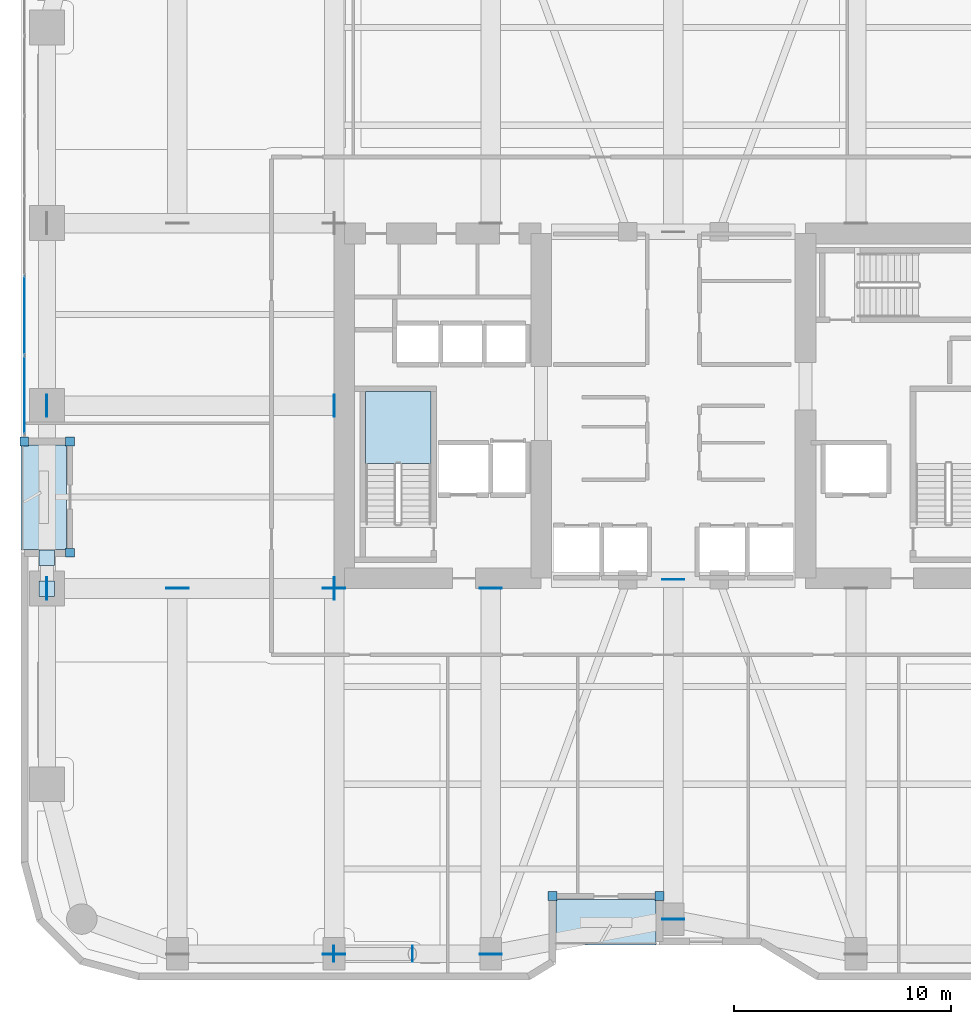
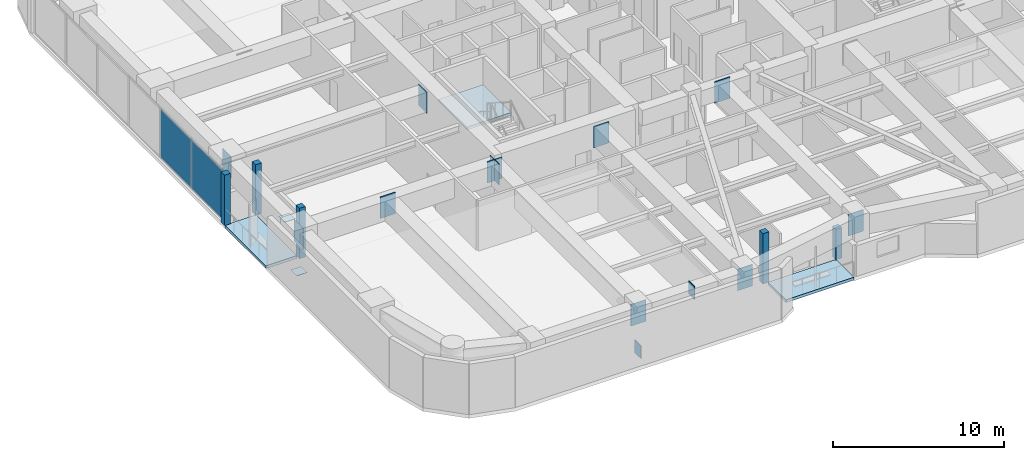
# One storey, part 19 of 28: 22 plates, 3 slabs, 2 elements without a shape of their own.
"""IFC4 building model written with IfcOpenShell, lengths in metres."""

import ifcopenshell
import ifcopenshell.guid

model = None  # the IFC model being written
_history = None  # IfcOwnerHistory: only IFC2X3 demands one
_inside = {}  # id of a spatial element -> (the spatial element, [elements in it])
_under = {}  # id of a project, library or spatial element -> (it, [spatial elements below it])
_declared = {}  # id of a project -> (the project, [libraries it declares])
_typed = {}  # id of a type object -> (the type object, [elements of that type])
_made_of = {}  # id of a material, layer set ... -> (it, [elements and type objects made of it])


def new_model(schema):
    """Start an empty IFC model of exactly this schema.

    Asked for "IFC4X3", IfcOpenShell would pick the latest addendum, in which some entities
    have other attributes; the version numbers below select the first issue.
    IFC2X3 requires an IfcOwnerHistory on every rooted entity: one is made here for all.
    """
    global model, _history
    if schema == "IFC4X3":
        model = ifcopenshell.file(schema_version=(4, 3, 0, 0))
    else:
        model = ifcopenshell.file(schema=schema)
    _inside.clear()
    _under.clear()
    _declared.clear()
    _typed.clear()
    _made_of.clear()
    _history = None
    if model.schema == "IFC2X3":
        org = make("IfcOrganization", Name="unknown")
        user = make(
            "IfcPersonAndOrganization",
            ThePerson=make("IfcPerson", FamilyName="unknown"),
            TheOrganization=org,
        )
        app = make(
            "IfcApplication",
            ApplicationDeveloper=org,
            Version="unknown",
            ApplicationFullName="unknown",
            ApplicationIdentifier="unknown",
        )
        _history = make(
            "IfcOwnerHistory",
            OwningUser=user,
            OwningApplication=app,
            ChangeAction="ADDED",
            CreationDate=0,
        )
    return model


def make(cls, **values):
    """One entity of the class cls with the attributes given. An attribute that is None is left unset."""
    return model.create_entity(
        cls, **{name: value for name, value in values.items() if value is not None}
    )


def rooted(cls, **values):
    """An entity with a GlobalId (a new one), such as an element, a storey or a relation."""
    return make(cls, GlobalId=ifcopenshell.guid.new(), OwnerHistory=_history, **values)


def si_unit(unit_type, name, prefix=None):
    """IfcSIUnit, for example si_unit("LENGTHUNIT", "METRE", prefix="MILLI")."""
    return make("IfcSIUnit", UnitType=unit_type, Prefix=prefix, Name=name)


def assignment(units):
    """IfcUnitAssignment: the units of a project."""
    return None if units is None else make("IfcUnitAssignment", Units=units)


def point(xyz):
    """IfcCartesianPoint."""
    return None if xyz is None else make("IfcCartesianPoint", Coordinates=xyz)


def direction(xyz):
    """IfcDirection."""
    return None if xyz is None else make("IfcDirection", DirectionRatios=xyz)


def frame(location, z_axis=None, x_axis=None):
    """IfcAxis2Placement3D, a coordinate frame: its origin and axes. An axis left out is left unset."""
    return make(
        "IfcAxis2Placement3D",
        Location=point(location),
        Axis=direction(z_axis),
        RefDirection=direction(x_axis),
    )


def frame_2d(location, x_axis=None):
    """IfcAxis2Placement2D, a coordinate frame in the plane: its origin and x axis."""
    return make(
        "IfcAxis2Placement2D", Location=point(location), RefDirection=direction(x_axis)
    )


def origin():
    """The frame at (0, 0, 0) with its axes left unset."""
    return frame((0.0, 0.0, 0.0))


def origin_2d():
    """The frame at (0, 0) in the plane with its x axis left unset."""
    return frame_2d((0.0, 0.0))


def place(relative_to, where):
    """IfcLocalPlacement: puts the frame where relative to a parent placement (None: the world)."""
    return make(
        "IfcLocalPlacement", PlacementRelTo=relative_to, RelativePlacement=where
    )


def context(
    kind, dimensions, precision=None, world=None, true_north=None, identifier=None
):
    """IfcGeometricRepresentationContext, for example the 3D "Model" context."""
    return make(
        "IfcGeometricRepresentationContext",
        ContextIdentifier=identifier,
        ContextType=kind,
        CoordinateSpaceDimension=dimensions,
        Precision=precision,
        WorldCoordinateSystem=world,
        TrueNorth=true_north,
    )


def subcontext(parent, identifier, kind, view, scale=None):
    """IfcGeometricRepresentationSubContext, for example "Body" below "Model"."""
    return make(
        "IfcGeometricRepresentationSubContext",
        ContextIdentifier=identifier,
        ContextType=kind,
        ParentContext=parent,
        TargetScale=scale,
        TargetView=view,
    )


def project(units=None, contexts=None):
    """IfcProject with its units and contexts."""
    return rooted(
        "IfcProject",
        Name="project",
        RepresentationContexts=contexts,
        UnitsInContext=assignment(units),
    )


def spatial(cls, under=None, at=None, **own):
    """A site, building, storey or space (cls), placed at a placement, below another one or the project."""
    s = rooted(cls, ObjectPlacement=at, **own)
    if under is not None:
        _under.setdefault(under.id(), (under, []))[1].append(s)
    return s


def polyline(points):
    """IfcPolyline through the points."""
    return make("IfcPolyline", Points=[point(p) for p in points])


def profile(cls, at=None, kind="AREA", **sizes):
    """A parametric profile (cls). Its sizes go by their IFC names, for example OverallWidth=200.0."""
    return make(cls, ProfileType=kind, Position=at, **sizes)


def rectangle(**sizes):
    """IfcRectangleProfileDef."""
    return profile("IfcRectangleProfileDef", **sizes)


def outline(outer, holes=None, kind="AREA"):
    """IfcArbitraryClosedProfileDef: a profile drawn as a closed curve; with holes, ...WithVoids."""
    if holes is None:
        return make("IfcArbitraryClosedProfileDef", ProfileType=kind, OuterCurve=outer)
    return make(
        "IfcArbitraryProfileDefWithVoids",
        ProfileType=kind,
        OuterCurve=outer,
        InnerCurves=holes,
    )


def extrude(swept, where, along, depth):
    """IfcExtrudedAreaSolid: the profile swept, set in the frame where, extruded along a direction by depth."""
    return make(
        "IfcExtrudedAreaSolid",
        SweptArea=swept,
        Position=where,
        ExtrudedDirection=direction(along),
        Depth=depth,
    )


def shape(context_of_items, identifier, shape_type, items):
    """IfcShapeRepresentation: the items that make up one representation, for example the "Body"."""
    return make(
        "IfcShapeRepresentation",
        ContextOfItems=context_of_items,
        RepresentationIdentifier=identifier,
        RepresentationType=shape_type,
        Items=items,
    )


def material(Name=None, Category=None):
    """IfcMaterial."""
    return make("IfcMaterial", Name=Name, Category=Category)


def layer(
    of_material, thickness, ventilated=None, Name=None, Category=None, Priority=None
):
    """IfcMaterialLayer: one layer of a wall or slab, of a material (None: an air gap)."""
    return make(
        "IfcMaterialLayer",
        Material=of_material,
        LayerThickness=thickness,
        IsVentilated=ventilated,
        Name=Name,
        Category=Category,
        Priority=Priority,
    )


def layer_set(layers, Name=None):
    """IfcMaterialLayerSet."""
    return make("IfcMaterialLayerSet", MaterialLayers=layers, LayerSetName=Name)


def made_of(thing, what):
    """Note that an element or type object is made of a material, layer set ...; save() writes the relation."""
    if what is not None:
        _made_of.setdefault(what.id(), (what, []))[1].append(thing)
    return thing


def type_object(cls, material=None, **own):
    """A type object (cls), such as IfcWallType, which elements share."""
    return made_of(rooted(cls, **own), material)


def element(
    cls,
    number,
    at=None,
    inside=None,
    cuts=None,
    type_object=None,
    material=None,
    context=None,
    identifier="Body",
    shape_type=None,
    held_by="IfcProductDefinitionShape",
    body=None,
    shapes=None,
    **own,
):
    """One element of the class cls, such as IfcWall. Its Tag is "e" and its number.

    at: its placement. inside: the storey or other place that contains it. cuts: it is an
    opening in that element (IfcRelVoidsElement). A single representation is given by context,
    identifier, shape_type and body (its items); several are given by shapes. held_by: the class
    of the entity that holds the representations. save() writes the other relations.
    """
    e = rooted(cls, Tag="e%d" % number, ObjectPlacement=at, **own)
    if body is not None:
        shapes = [shape(context, identifier, shape_type, body)]
    if shapes is not None:
        e.Representation = make(held_by, Representations=shapes)
    if inside is not None:
        _inside.setdefault(inside.id(), (inside, []))[1].append(e)
    if cuts is not None:
        rooted(
            "IfcRelVoidsElement", RelatingBuildingElement=cuts, RelatedOpeningElement=e
        )
    if type_object is not None:
        _typed.setdefault(type_object.id(), (type_object, []))[1].append(e)
    return made_of(e, material)


def aggregate(whole, parts):
    """IfcRelAggregates: a whole, such as a stair, and the parts it consists of."""
    return rooted("IfcRelAggregates", RelatingObject=whole, RelatedObjects=parts)


def save(model, path):
    """Write the relations noted so far, then the file.

    IfcRelAggregates (storeys below a building ...), IfcRelContainedInSpatialStructure (elements
    in a storey), IfcRelDefinesByType, IfcRelAssociatesMaterial and IfcRelDeclares: one each for
    every whole, place, type object, material and project.
    """
    for whole, parts in _under.values():
        aggregate(whole, parts)
    for where, things in _inside.values():
        rooted(
            "IfcRelContainedInSpatialStructure",
            RelatedElements=things,
            RelatingStructure=where,
        )
    for kind, things in _typed.values():
        rooted("IfcRelDefinesByType", RelatedObjects=things, RelatingType=kind)
    for what, things in _made_of.values():
        rooted("IfcRelAssociatesMaterial", RelatedObjects=things, RelatingMaterial=what)
    for by, libraries in _declared.values():
        rooted("IfcRelDeclares", RelatingContext=by, RelatedDefinitions=libraries)
    model.write(path)


model = new_model("IFC4")

# Units and contexts
model_context = context("Model", 3, precision=1e-05, world=origin(), true_north=direction((0.0, 1.0)))
body_context = subcontext(model_context, "Body", "Model", "MODEL_VIEW")
ifc_project = project(units=[si_unit("LENGTHUNIT", "METRE"), si_unit("AREAUNIT", "SQUARE_METRE"), si_unit("VOLUMEUNIT", "CUBIC_METRE"), si_unit("PLANEANGLEUNIT", "RADIAN"), si_unit("MASSUNIT", "GRAM", prefix="KILO")], contexts=[model_context])

# Site, building, storey
site_placement = place(None, origin())
site = spatial("IfcSite", under=ifc_project, at=site_placement, CompositionType="ELEMENT")
building_placement = place(site_placement, origin())
building = spatial("IfcBuilding", under=site, at=building_placement, Name="Kiyonajd Concourse Tower", CompositionType="ELEMENT")
storey_placement = place(building_placement, frame((0.0, 0.0, 76.800048828125)))
storey = spatial("IfcBuildingStorey", under=building, at=storey_placement, Name="L20", CompositionType="ELEMENT", Elevation=76.800048828125)

# Plates
ifc_material_1 = material(Name="Steel ASTM A572 Grade 50", Category="steel")
ifc_layer_1 = layer(ifc_material_1, 0.028076171875)
ifc_layer_set_1 = layer_set([ifc_layer_1], Name="Steel ASTM A572 Grade 50")
plate_type_1 = type_object("IfcPlateType", Name="PL-CAP-450", PredefinedType="USERDEFINED", material=ifc_layer_set_1)
for number, where, z_axis, x_axis, name in (
    (1, (32.3916015625, 10.800048828125, -0.17138671875), (0.0, 0.0, 1.0), (-1.0, 0.0, 0.0), "L20 Hollow Brace End Cap Plate PBS"),
    (2, (36.008544921875, 10.800048828125, 2.79248046875), (0.0, 0.0, 1.0), (1.0, 0.0, 0.0), "L20 Hollow Brace Top Cap Plate PBS"),
):
    element("IfcPlate", number, at=place(storey_placement, frame(where, z_axis=z_axis, x_axis=x_axis)), inside=storey, type_object=plate_type_1, Name=name, ObjectType="CAP PLATE", PredefinedType="USERDEFINED", context=body_context, shape_type="SweptSolid", body=[
        extrude(rectangle(XDim=0.035888671875, YDim=0.72998046875, at=origin_2d()), origin(), (0.0, 0.0, 1.0), 0.928955078125),
    ])
for number, where, z_axis, x_axis, name in (
    (3, (19.199951171875, 27.59521484375, 0.27587890625), (0.0, 0.0, 1.0), (1.0, 0.0, 0.0), "L20 Hollow Brace End Cap Plate PBW"),
    (4, (19.199951171875, 29.004638671875, 3.24560546875), (0.0, 0.0, 1.0), (1.0, 0.0, 0.0), "L20 Hollow Brace Top Cap Plate PBW"),
):
    element("IfcPlate", number, at=place(storey_placement, frame(where, z_axis=z_axis, x_axis=x_axis)), inside=storey, type_object=plate_type_1, Name=name, ObjectType="CAP PLATE", PredefinedType="USERDEFINED", context=body_context, shape_type="SweptSolid", body=[
        extrude(rectangle(XDim=0.7099609375, YDim=0.7099609375, at=origin_2d()), origin(), (0.0, 0.0, 1.0), 0.028076171875),
    ])
ifc_layer_2 = layer(ifc_material_1, 0.031982421875)
ifc_layer_set_2 = layer_set([ifc_layer_2], Name="Steel ASTM A572 Grade 50")
plate_type_2 = type_object("IfcPlateType", Name="PL-CAP-540", PredefinedType="USERDEFINED", material=ifc_layer_set_2)
for number, where, z_axis, x_axis, name in (
    (5, (25.199951171875, 27.611083984375, 2.1298828125), (0.0, 0.0, 1.0), (0.0, 1.0, 0.0), "L20 Welded Box Girder End Cap"),
    (6, (32.39990234375, 10.7890625, 2.1298828125), (0.0, 0.0, 1.0), (0.0, -1.0, 0.0), "L20 Welded Box Girder End Cap"),
    (7, (32.39990234375, 27.611083984375, 2.1298828125), (0.0, 0.0, 1.0), (0.0, 1.0, 0.0), "L20 Welded Box Girder End Cap"),
    (8, (39.60009765625, 10.7890625, 2.1298828125), (0.0, 0.0, 1.0), (0.0, -1.0, 0.0), "L20 Welded Box Girder End Cap"),
    (9, (39.60009765625, 27.611083984375, 2.1298828125), (0.0, 0.0, 1.0), (0.0, 1.0, 0.0), "L20 Welded Box Girder End Cap"),
    (10, (48.0, 12.388916015625, 2.1298828125), (0.0, 0.0, 1.0), (0.0, -1.0, 0.0), "L20 Welded Box Girder End Cap"),
    (11, (48.0, 28.010986328125, 2.1298828125), (0.0, 0.0, 1.0), (0.0, 1.0, 0.0), "L20 Welded Box Girder End Cap"),
    (12, (19.18896484375, 27.60009765625, 2.1298828125), (0.0, 0.0, 1.0), (-1.0, 0.0, 0.0), "L20 Welded Box Girder End Cap"),
    (13, (32.410888671875, 27.60009765625, 2.1298828125), (0.0, 0.0, 1.0), (1.0, 0.0, 0.0), "L20 Welded Box Girder End Cap"),
    (14, (19.18896484375, 36.0, 2.1298828125), (0.0, 0.0, 1.0), (-1.0, 0.0, 0.0), "L20 Welded Box Girder End Cap"),
    (15, (32.410888671875, 36.0, 2.1298828125), (0.0, 0.0, 1.0), (1.0, 0.0, 0.0), "L20 Welded Box Girder End Cap"),
):
    element("IfcPlate", number, at=place(storey_placement, frame(where, z_axis=z_axis, x_axis=x_axis)), inside=storey, type_object=plate_type_2, Name=name, ObjectType="CAP PLATE", PredefinedType="USERDEFINED", context=body_context, shape_type="SweptSolid", body=[
        extrude(rectangle(XDim=0.035888671875, YDim=1.02001953125, at=origin_2d()), origin(), (0.0, 0.0, 1.0), 1.5400390625),
    ])

# Curtain wall, plates
ifc_material_2 = material(Name="Thermally Broken Anodised Aluminium", Category="aluminium")
ifc_layer_3 = layer(ifc_material_2, 0.179931640625)
ifc_layer_set_3 = layer_set([ifc_layer_3], Name="Thermally Broken Anodised Aluminium")
curtain_wall_type = type_object("IfcCurtainWallType", Name="CW-SYS-02", PredefinedType="NOTDEFINED", material=ifc_layer_set_3)
curtain_wall_placement = place(storey_placement, origin())
curtain_wall = element("IfcCurtainWall", 16, at=curtain_wall_placement, inside=storey, type_object=curtain_wall_type, Name="L20 Unitised Curtain Wall CW2", PredefinedType="NOTDEFINED")
ifc_material_3 = material(Name="Double Low-E Insulated Glass", Category="glass")
ifc_layer_4 = layer(ifc_material_3, 0.028076171875)
ifc_layer_set_4 = layer_set([ifc_layer_4], Name="Double Low-E Insulated Glass")
plate_type_3 = type_object("IfcPlateType", Name="PL-CW-VIS28", PredefinedType="CURTAIN_PANEL", material=ifc_layer_set_4)
plate_1_placement = place(storey_placement, frame((18.159912109375, 36.5029296875, 0.06494140625), z_axis=(0.0, 0.0, 1.0), x_axis=(0.0, 1.0, 0.0)))
plate_1 = element("IfcPlate", 17, at=plate_1_placement, type_object=plate_type_3, Name="CW2 panel 1.1", PredefinedType="CURTAIN_PANEL", context=body_context, shape_type="SweptSolid", body=[
    extrude(rectangle(XDim=3.57568359375, YDim=0.028076171875, at=origin_2d()), origin(), (0.0, 0.0, 1.0), 3.469970703125),
])
plate_2_placement = place(storey_placement, frame((18.159912109375, 40.15966796875, 0.06494140625), z_axis=(0.0, 0.0, 1.0), x_axis=(0.0, 1.0, 0.0)))
plate_2 = element("IfcPlate", 18, at=plate_2_placement, type_object=plate_type_3, Name="CW2 panel 2.1", PredefinedType="CURTAIN_PANEL", context=body_context, shape_type="SweptSolid", body=[
    extrude(rectangle(XDim=3.608154296875, YDim=0.028076171875, at=origin_2d()), origin(), (0.0, 0.0, 1.0), 3.469970703125),
])
aggregate(curtain_wall, [plate_1, plate_2])

# Plates
ifc_layer_5 = layer(ifc_material_2, 0.39990234375)
ifc_layer_set_5 = layer_set([ifc_layer_5], Name="Thermally Broken Anodised Aluminium")
plate_type_4 = type_object("IfcPlateType", Name="PL-JMB-400", PredefinedType="USERDEFINED", material=ifc_layer_set_5)
for number, where, z_axis, x_axis, name in (
    (19, (20.260009765625, 29.239990234375, 0.0), (0.0, 0.0, 1.0), (1.0, 0.0, 0.0), "L20 Facade Jamb Closure Plate 01"),
    (20, (20.260009765625, 34.360107421875, 0.0), (0.0, 0.0, 1.0), (1.0, 0.0, 0.0), "L20 Facade Jamb Closure Plate 02"),
    (21, (18.159912109375, 34.360107421875, 0.0), (0.0, 0.0, 1.0), (1.0, 0.0, 0.0), "L20 Facade Jamb Closure Plate 03"),
):
    element("IfcPlate", number, at=place(storey_placement, frame(where, z_axis=z_axis, x_axis=x_axis)), inside=storey, type_object=plate_type_4, Name=name, ObjectType="JAMB PLATE", PredefinedType="USERDEFINED", context=body_context, shape_type="SweptSolid", body=[
        extrude(rectangle(XDim=0.39990234375, YDim=0.39990234375, at=origin_2d()), origin(), (0.0, 0.0, 1.0), 3.60009765625),
    ])
plate_3_placement = place(storey_placement, frame((47.360107421875, 13.4599609375, 0.0), z_axis=(0.0, 0.0, 1.0), x_axis=(1.0, 0.0, 0.0)))
element("IfcPlate", 22, at=plate_3_placement, inside=storey, type_object=plate_type_4, Name="L20 Facade Jamb Closure Plate 13", ObjectType="JAMB PLATE", PredefinedType="USERDEFINED", context=body_context, shape_type="SweptSolid", body=[
    extrude(rectangle(XDim=0.39990234375, YDim=0.39990234375, at=origin_2d()), origin(), (0.0, 0.0, 1.0), 2.18505859375),
])
plate_4_placement = place(storey_placement, frame((42.43994140625, 13.4599609375, 0.0), z_axis=(0.0, 0.0, 1.0), x_axis=(1.0, 0.0, 0.0)))
element("IfcPlate", 23, at=plate_4_placement, inside=storey, type_object=plate_type_4, Name="L20 Facade Jamb Closure Plate 14", ObjectType="JAMB PLATE", PredefinedType="USERDEFINED", context=body_context, shape_type="SweptSolid", body=[
    extrude(rectangle(XDim=0.39990234375, YDim=0.39990234375, at=origin_2d()), origin(), (0.0, 0.0, 1.0), 3.60009765625),
])

# Stair, slab
ifc_material_4 = material(Name="Concrete C40/50", Category="concrete")
stair_type = type_object("IfcStairType", Name="ST-DLG-22R", PredefinedType="HALF_TURN_STAIR", material=ifc_material_4)
stair_placement = place(storey_placement, origin())
stair = element("IfcStair", 24, at=stair_placement, inside=storey, type_object=stair_type, Name="L20 Protected Exit Stair ST1", PredefinedType="HALF_TURN_STAIR")
ifc_layer_6 = layer(ifc_material_4, 0.199951171875)
ifc_layer_set_6 = layer_set([ifc_layer_6], Name="Concrete C40/50")
slab_type_1 = type_object("IfcSlabType", Name="SL-LND-200", PredefinedType="LANDING", material=ifc_layer_set_6)
slab_1_placement = place(storey_placement, frame((0.0, 0.0, 1.75)))
slab_1 = element("IfcSlab", 25, at=slab_1_placement, type_object=slab_type_1, Name="ST1 landing 1", PredefinedType="LANDING", context=body_context, shape_type="SweptSolid", body=[
    extrude(outline(polyline([(36.85009765625, 33.35009765625), (36.85009765625, 36.64990234375), (33.85009765625, 36.64990234375), (33.85009765625, 33.35009765625), (36.85009765625, 33.35009765625)])), origin(), (0.0, 0.0, 1.0), 0.199951171875),
])
aggregate(stair, [slab_1])

# Slabs
ifc_material_5 = material(Name="Precast concrete C50/60", Category="concrete")
ifc_layer_7 = layer(ifc_material_5, 0.199951171875)
ifc_layer_set_7 = layer_set([ifc_layer_7], Name="Precast concrete C50/60")
slab_type_2 = type_object("IfcSlabType", Name="SL-LOG-200", PredefinedType="FLOOR", material=ifc_layer_set_7)
slab_2_placement = place(storey_placement, frame((0.0, 0.0, -0.199951171875)))
element("IfcSlab", 26, at=slab_2_placement, inside=storey, type_object=slab_type_2, Name="L20 Recessed Engawa Loggia Terrace Slab LOG-S", PredefinedType="FLOOR", context=body_context, shape_type="SweptSolid", body=[
    extrude(outline(polyline([(42.60009765625, 11.199951171875), (47.199951171875, 11.199951171875), (47.199951171875, 13.300048828125), (42.60009765625, 13.300048828125), (42.60009765625, 11.199951171875)])), origin(), (0.0, 0.0, 1.0), 0.199951171875),
])
slab_3_placement = place(storey_placement, frame((0.0, 0.0, -0.199951171875)))
element("IfcSlab", 27, at=slab_3_placement, inside=storey, type_object=slab_type_2, Name="L20 Recessed Engawa Loggia Terrace Slab LOG-W", PredefinedType="FLOOR", context=body_context, shape_type="SweptSolid", body=[
    extrude(outline(polyline([(18.0, 29.39990234375), (20.10009765625, 29.39990234375), (20.10009765625, 34.199951171875), (18.0, 34.199951171875), (18.0, 29.39990234375)])), origin(), (0.0, 0.0, 1.0), 0.199951171875),
])

save(model, "model.ifc")
